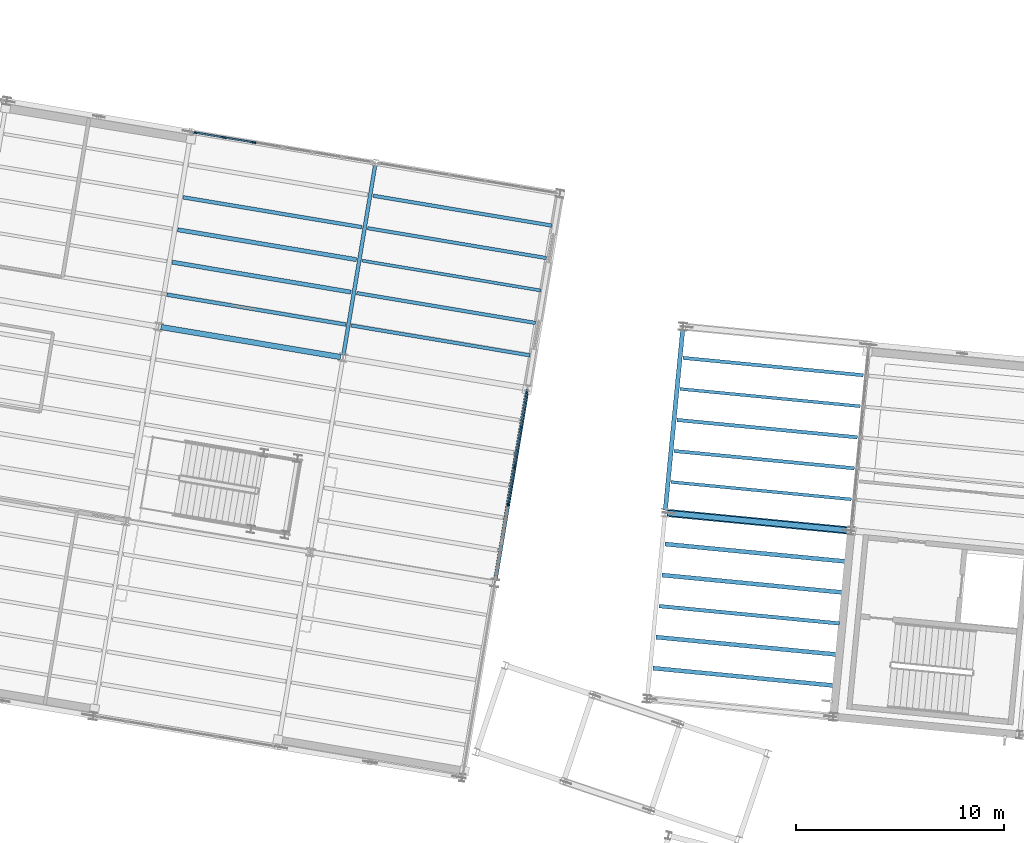
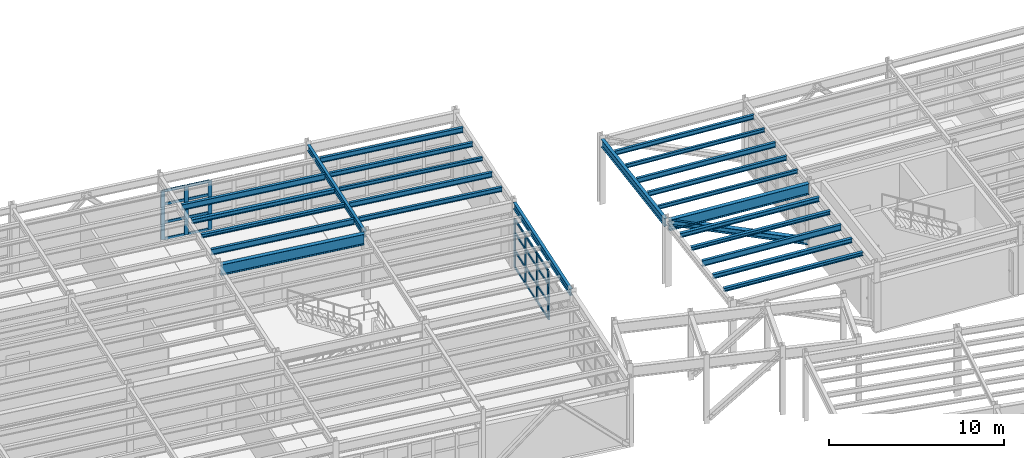
# One storey, part 45 of 109: 28 members, 24 beams, 2 elements without a shape of their own.
"""IFC4 building model written with IfcOpenShell, lengths in metres."""

from ifc_helpers import new_model, si_unit, direction, frame, origin, origin_2d, place, context, subcontext, project, spatial, rectangle, i_section, extrude, material, layer, layer_set, material_profile, profile_set, type_object, element, aggregate, save


model = new_model("IFC4")

# Units and contexts
model_context = context("Model", 3, precision=1e-05, world=origin(), true_north=direction((0.0, 1.0)))
body_context = subcontext(model_context, "Body", "Model", "MODEL_VIEW")
ifc_project = project(units=[si_unit("LENGTHUNIT", "METRE"), si_unit("AREAUNIT", "SQUARE_METRE"), si_unit("VOLUMEUNIT", "CUBIC_METRE"), si_unit("PLANEANGLEUNIT", "RADIAN"), si_unit("MASSUNIT", "GRAM", prefix="KILO")], contexts=[model_context])

# Site, building, storey
site_placement = place(None, origin())
site = spatial("IfcSite", under=ifc_project, at=site_placement, CompositionType="ELEMENT")
building_placement = place(site_placement, origin())
building = spatial("IfcBuilding", under=site, at=building_placement, Name="Vireo Bluff Cable Station", CompositionType="ELEMENT")
storey_placement = place(building_placement, frame((0.0, 0.0, 4.800048828125)))
storey = spatial("IfcBuildingStorey", under=building, at=storey_placement, Name="L01", CompositionType="ELEMENT", Elevation=4.800048828125)

# Beam
ifc_material_1 = material(Name="Steel ASTM A992 Gr. 50", Category="steel")
ifc_material_profile_1 = material_profile(ifc_material_1, i_section(OverallWidth=0.180908203125, OverallDepth=0.4169921875, WebThickness=0.010986328125, FlangeThickness=0.018310546875, FilletRadius=0.010009765625, at=origin_2d()), Name="W16X57")
ifc_profile_set_1 = profile_set([ifc_material_profile_1], Name="Steel ASTM A992 Gr. 50")
beam_type_1 = type_object("IfcBeamType", Name="BM-W16X57", PredefinedType="BEAM", material=ifc_profile_set_1)
beam_1_placement = place(storey_placement, frame((44.162109375, 84.416015625, 4.33154296875), z_axis=(0.165044536891, 0.986286115102, 0.0), x_axis=(-0.986286115102, 0.165044536891, 0.0)))
element("IfcBeam", 1, at=beam_1_placement, inside=storey, type_object=beam_type_1, Name="V4 L01 beam 906", PredefinedType="BEAM", context=body_context, shape_type="SweptSolid", body=[
    extrude(i_section(OverallWidth=0.180908203125, OverallDepth=0.4169921875, WebThickness=0.010986328125, FlangeThickness=0.018310546875, FilletRadius=0.010009765625, at=origin_2d()), origin(), (0.0, 0.0, 1.0), 9.260009765625),
])

# Curtain wall, members
ifc_material_2 = material(Name="Anodized Aluminium 6063-T6", Category="aluminium")
ifc_layer_1 = layer(ifc_material_2, 0.159912109375, Name="Anodized Aluminium 6063-T6")
ifc_layer_set_1 = layer_set([ifc_layer_1], Name="Anodized Aluminium 6063-T6")
curtain_wall_type_1 = type_object("IfcCurtainWallType", Name="CW-STICK-1850", PredefinedType="USERDEFINED", material=ifc_layer_set_1)
curtain_wall_1_placement = place(storey_placement, origin())
curtain_wall_1 = element("IfcCurtainWall", 2, at=curtain_wall_1_placement, inside=storey, type_object=curtain_wall_type_1, Name="V4 L01 east curtain wall CW-093", ObjectType="STICK CURTAIN WALL", PredefinedType="USERDEFINED")
ifc_material_profile_2 = material_profile(ifc_material_2, rectangle(XDim=0.074951171875, YDim=0.2099609375, at=origin_2d()), Name="ALU-M-75X210")
ifc_profile_set_2 = profile_set([ifc_material_profile_2], Name="Anodized Aluminium 6063-T6")
member_type_1 = type_object("IfcMemberType", Name="CWM-02", PredefinedType="MULLION", material=ifc_profile_set_2)
member_1_placement = place(storey_placement, frame((52.9912109375, 82.64697265625, 0.0), z_axis=(0.0, 0.0, 1.0), x_axis=(0.986285608353, -0.165047565133, 0.0)))
member_1 = element("IfcMember", 3, at=member_1_placement, type_object=member_type_1, Name="CW-093 mullion 1", PredefinedType="MULLION", context=body_context, shape_type="SweptSolid", body=[
    extrude(rectangle(XDim=0.074951171875, YDim=0.2099609375, at=origin_2d()), origin(), (0.0, 0.0, 1.0), 3.39990234375),
])
member_2_placement = place(storey_placement, frame((52.694091796875, 80.87158203125, 0.0), z_axis=(0.0, 0.0, 1.0), x_axis=(0.986285608353, -0.165047565133, 0.0)))
member_2 = element("IfcMember", 4, at=member_2_placement, type_object=member_type_1, Name="CW-093 mullion 2", PredefinedType="MULLION", context=body_context, shape_type="SweptSolid", body=[
    extrude(rectangle(XDim=0.074951171875, YDim=0.2099609375, at=origin_2d()), origin(), (0.0, 0.0, 1.0), 3.39990234375),
])
member_3_placement = place(storey_placement, frame((52.390625, 79.059326171875, 0.0), z_axis=(0.0, 0.0, 1.0), x_axis=(0.986285608353, -0.165047565133, 0.0)))
member_3 = element("IfcMember", 5, at=member_3_placement, type_object=member_type_1, Name="CW-093 mullion 3", PredefinedType="MULLION", context=body_context, shape_type="SweptSolid", body=[
    extrude(rectangle(XDim=0.074951171875, YDim=0.2099609375, at=origin_2d()), origin(), (0.0, 0.0, 1.0), 3.39990234375),
])
member_4_placement = place(storey_placement, frame((52.08740234375, 77.246826171875, 0.0), z_axis=(0.0, 0.0, 1.0), x_axis=(0.986285608353, -0.165047565133, 0.0)))
member_4 = element("IfcMember", 6, at=member_4_placement, type_object=member_type_1, Name="CW-093 mullion 4", PredefinedType="MULLION", context=body_context, shape_type="SweptSolid", body=[
    extrude(rectangle(XDim=0.074951171875, YDim=0.2099609375, at=origin_2d()), origin(), (0.0, 0.0, 1.0), 3.39990234375),
])

ifc_layer_2 = layer(ifc_material_2, 0.179931640625, Name="Anodized Aluminium 6063-T6")
ifc_layer_set_2 = layer_set([ifc_layer_2], Name="Anodized Aluminium 6063-T6")
curtain_wall_type_2 = type_object("IfcCurtainWallType", Name="CW-UNIT-1500", PredefinedType="USERDEFINED", material=ifc_layer_set_2)
curtain_wall_2_placement = place(storey_placement, origin())
curtain_wall_2 = element("IfcCurtainWall", 7, at=curtain_wall_2_placement, inside=storey, type_object=curtain_wall_type_2, Name="V4 L01 north curtain wall CW-091", ObjectType="UNITISED CURTAIN WALL", PredefinedType="USERDEFINED")
ifc_material_profile_3 = material_profile(ifc_material_2, rectangle(XDim=0.080078125, YDim=0.239990234375, at=origin_2d()), Name="ALU-M-80X240")
ifc_profile_set_3 = profile_set([ifc_material_profile_3], Name="Anodized Aluminium 6063-T6")
member_type_2 = type_object("IfcMemberType", Name="CWM-04", PredefinedType="MULLION", material=ifc_profile_set_3)
member_5_placement = place(storey_placement, frame((37.000244140625, 95.125, 0.0), z_axis=(0.0, 0.0, 1.0), x_axis=(0.165047581847, 0.986285605556, 0.0)))
member_5 = element("IfcMember", 8, at=member_5_placement, type_object=member_type_2, Name="CW-091 mullion 1", PredefinedType="MULLION", context=body_context, shape_type="SweptSolid", body=[
    extrude(rectangle(XDim=0.080078125, YDim=0.239990234375, at=origin_2d()), origin(), (0.0, 0.0, 1.0), 3.39990234375),
])
member_6_placement = place(storey_placement, frame((38.397705078125, 94.89111328125, 0.0), z_axis=(0.0, 0.0, 1.0), x_axis=(0.165047581847, 0.986285605556, 0.0)))
member_6 = element("IfcMember", 9, at=member_6_placement, type_object=member_type_2, Name="CW-091 mullion 2", PredefinedType="MULLION", context=body_context, shape_type="SweptSolid", body=[
    extrude(rectangle(XDim=0.080078125, YDim=0.239990234375, at=origin_2d()), origin(), (0.0, 0.0, 1.0), 3.39990234375),
])
member_7_placement = place(storey_placement, frame((39.834716796875, 94.650634765625, 0.0), z_axis=(0.0, 0.0, 1.0), x_axis=(0.165047581847, 0.986285605556, 0.0)))
member_7 = element("IfcMember", 10, at=member_7_placement, type_object=member_type_2, Name="CW-091 mullion 3", PredefinedType="MULLION", context=body_context, shape_type="SweptSolid", body=[
    extrude(rectangle(XDim=0.080078125, YDim=0.239990234375, at=origin_2d()), origin(), (0.0, 0.0, 1.0), 3.39990234375),
])

# Member
ifc_material_profile_4 = material_profile(ifc_material_2, rectangle(XDim=0.074951171875, YDim=0.159912109375, at=origin_2d()), Name="ALU-T-75X160")
ifc_profile_set_4 = profile_set([ifc_material_profile_4], Name="Anodized Aluminium 6063-T6")
member_type_3 = type_object("IfcMemberType", Name="CWT-02", PredefinedType="USERDEFINED", material=ifc_profile_set_4)
member_8_placement = place(storey_placement, frame((52.98486328125, 82.610107421875, 0.037353515625), z_axis=(-0.165018606581, -0.986290453914, 0.0), x_axis=(0.986290453914, -0.165018606581, 0.0)))
member_8 = element("IfcMember", 11, at=member_8_placement, type_object=member_type_3, Name="CW-093 transom 1.1", ObjectType="TRANSOM", PredefinedType="USERDEFINED", context=body_context, shape_type="SweptSolid", body=[
    extrude(rectangle(XDim=0.074951171875, YDim=0.159912109375, at=origin_2d()), origin(), (0.0, 0.0, 1.0), 1.72509765625),
])

member_9_placement = place(storey_placement, frame((52.98486328125, 82.610107421875, 1.18994140625), z_axis=(-0.165018606581, -0.986290453914, 0.0), x_axis=(0.986290453914, -0.165018606581, 0.0)))
member_9 = element("IfcMember", 12, at=member_9_placement, type_object=member_type_3, Name="CW-093 transom 1.2", ObjectType="TRANSOM", PredefinedType="USERDEFINED", context=body_context, shape_type="SweptSolid", body=[
    extrude(rectangle(XDim=0.074951171875, YDim=0.159912109375, at=origin_2d()), origin(), (0.0, 0.0, 1.0), 1.72509765625),
])

member_10_placement = place(storey_placement, frame((52.98486328125, 82.610107421875, 2.447998046875), z_axis=(-0.165018606581, -0.986290453914, 0.0), x_axis=(0.986290453914, -0.165018606581, 0.0)))
member_10 = element("IfcMember", 13, at=member_10_placement, type_object=member_type_3, Name="CW-093 transom 1.3", ObjectType="TRANSOM", PredefinedType="USERDEFINED", context=body_context, shape_type="SweptSolid", body=[
    extrude(rectangle(XDim=0.074951171875, YDim=0.159912109375, at=origin_2d()), origin(), (0.0, 0.0, 1.0), 1.72509765625),
])

member_11_placement = place(storey_placement, frame((52.98486328125, 82.610107421875, 3.362548828125), z_axis=(-0.165018606581, -0.986290453914, 0.0), x_axis=(0.986290453914, -0.165018606581, 0.0)))
member_11 = element("IfcMember", 14, at=member_11_placement, type_object=member_type_3, Name="CW-093 transom 1.4", ObjectType="TRANSOM", PredefinedType="USERDEFINED", context=body_context, shape_type="SweptSolid", body=[
    extrude(rectangle(XDim=0.074951171875, YDim=0.159912109375, at=origin_2d()), origin(), (0.0, 0.0, 1.0), 1.72509765625),
])

member_12_placement = place(storey_placement, frame((52.687744140625, 80.834716796875, 0.037353515625), z_axis=(-0.164960470883, -0.986300178975, 0.0), x_axis=(0.986300178975, -0.164960470883, 0.0)))
member_12 = element("IfcMember", 15, at=member_12_placement, type_object=member_type_3, Name="CW-093 transom 2.1", ObjectType="TRANSOM", PredefinedType="USERDEFINED", context=body_context, shape_type="SweptSolid", body=[
    extrude(rectangle(XDim=0.074951171875, YDim=0.159912109375, at=origin_2d()), origin(), (0.0, 0.0, 1.0), 1.7626953125),
])

member_13_placement = place(storey_placement, frame((52.687744140625, 80.834716796875, 1.18994140625), z_axis=(-0.164960470883, -0.986300178975, 0.0), x_axis=(0.986300178975, -0.164960470883, 0.0)))
member_13 = element("IfcMember", 16, at=member_13_placement, type_object=member_type_3, Name="CW-093 transom 2.2", ObjectType="TRANSOM", PredefinedType="USERDEFINED", context=body_context, shape_type="SweptSolid", body=[
    extrude(rectangle(XDim=0.074951171875, YDim=0.159912109375, at=origin_2d()), origin(), (0.0, 0.0, 1.0), 1.7626953125),
])

member_14_placement = place(storey_placement, frame((52.687744140625, 80.834716796875, 2.447998046875), z_axis=(-0.164960470883, -0.986300178975, 0.0), x_axis=(0.986300178975, -0.164960470883, 0.0)))
member_14 = element("IfcMember", 17, at=member_14_placement, type_object=member_type_3, Name="CW-093 transom 2.3", ObjectType="TRANSOM", PredefinedType="USERDEFINED", context=body_context, shape_type="SweptSolid", body=[
    extrude(rectangle(XDim=0.074951171875, YDim=0.159912109375, at=origin_2d()), origin(), (0.0, 0.0, 1.0), 1.7626953125),
])

member_15_placement = place(storey_placement, frame((52.687744140625, 80.834716796875, 3.362548828125), z_axis=(-0.164960470883, -0.986300178975, 0.0), x_axis=(0.986300178975, -0.164960470883, 0.0)))
member_15 = element("IfcMember", 18, at=member_15_placement, type_object=member_type_3, Name="CW-093 transom 2.4", ObjectType="TRANSOM", PredefinedType="USERDEFINED", context=body_context, shape_type="SweptSolid", body=[
    extrude(rectangle(XDim=0.074951171875, YDim=0.159912109375, at=origin_2d()), origin(), (0.0, 0.0, 1.0), 1.7626953125),
])

member_16_placement = place(storey_placement, frame((52.384521484375, 79.022216796875, 0.037353515625), z_axis=(-0.165117758492, -0.986273859448, 0.0), x_axis=(0.986273859448, -0.165117758492, 0.0)))
member_16 = element("IfcMember", 19, at=member_16_placement, type_object=member_type_3, Name="CW-093 transom 3.1", ObjectType="TRANSOM", PredefinedType="USERDEFINED", context=body_context, shape_type="SweptSolid", body=[
    extrude(rectangle(XDim=0.074951171875, YDim=0.159912109375, at=origin_2d()), origin(), (0.0, 0.0, 1.0), 1.762451171875),
])

member_17_placement = place(storey_placement, frame((52.384521484375, 79.022216796875, 1.18994140625), z_axis=(-0.165117758492, -0.986273859448, 0.0), x_axis=(0.986273859448, -0.165117758492, 0.0)))
member_17 = element("IfcMember", 20, at=member_17_placement, type_object=member_type_3, Name="CW-093 transom 3.2", ObjectType="TRANSOM", PredefinedType="USERDEFINED", context=body_context, shape_type="SweptSolid", body=[
    extrude(rectangle(XDim=0.074951171875, YDim=0.159912109375, at=origin_2d()), origin(), (0.0, 0.0, 1.0), 1.762451171875),
])

member_18_placement = place(storey_placement, frame((52.384521484375, 79.022216796875, 2.447998046875), z_axis=(-0.165117758492, -0.986273859448, 0.0), x_axis=(0.986273859448, -0.165117758492, 0.0)))
member_18 = element("IfcMember", 21, at=member_18_placement, type_object=member_type_3, Name="CW-093 transom 3.3", ObjectType="TRANSOM", PredefinedType="USERDEFINED", context=body_context, shape_type="SweptSolid", body=[
    extrude(rectangle(XDim=0.074951171875, YDim=0.159912109375, at=origin_2d()), origin(), (0.0, 0.0, 1.0), 1.762451171875),
])

member_19_placement = place(storey_placement, frame((52.384521484375, 79.022216796875, 3.362548828125), z_axis=(-0.165117758492, -0.986273859448, 0.0), x_axis=(0.986273859448, -0.165117758492, 0.0)))
member_19 = element("IfcMember", 22, at=member_19_placement, type_object=member_type_3, Name="CW-093 transom 3.4", ObjectType="TRANSOM", PredefinedType="USERDEFINED", context=body_context, shape_type="SweptSolid", body=[
    extrude(rectangle(XDim=0.074951171875, YDim=0.159912109375, at=origin_2d()), origin(), (0.0, 0.0, 1.0), 1.762451171875),
])

aggregate(curtain_wall_1, [member_1, member_2, member_3, member_4, member_8, member_9, member_10, member_11, member_12, member_13, member_14, member_15, member_16, member_17, member_18, member_19])

ifc_material_profile_5 = material_profile(ifc_material_2, rectangle(XDim=0.080078125, YDim=0.175048828125, at=origin_2d()), Name="ALU-T-80X175")
ifc_profile_set_5 = profile_set([ifc_material_profile_5], Name="Anodized Aluminium 6063-T6")
member_type_4 = type_object("IfcMemberType", Name="CWT-04", PredefinedType="USERDEFINED", material=ifc_profile_set_5)
member_20_placement = place(storey_placement, frame((37.039794921875, 95.118408203125, 0.0400390625), z_axis=(0.986280173958, -0.165080036522, 0.0), x_axis=(0.165080036522, 0.986280173958, 0.0)))
member_20 = element("IfcMember", 23, at=member_20_placement, type_object=member_type_4, Name="CW-091 transom 1.1", ObjectType="TRANSOM", PredefinedType="USERDEFINED", context=body_context, shape_type="SweptSolid", body=[
    extrude(rectangle(XDim=0.080078125, YDim=0.175048828125, at=origin_2d()), origin(), (0.0, 0.0, 1.0), 1.3369140625),
])

member_21_placement = place(storey_placement, frame((37.039794921875, 95.118408203125, 1.18994140625), z_axis=(0.986280173958, -0.165080036522, 0.0), x_axis=(0.165080036522, 0.986280173958, 0.0)))
member_21 = element("IfcMember", 24, at=member_21_placement, type_object=member_type_4, Name="CW-091 transom 1.2", ObjectType="TRANSOM", PredefinedType="USERDEFINED", context=body_context, shape_type="SweptSolid", body=[
    extrude(rectangle(XDim=0.080078125, YDim=0.175048828125, at=origin_2d()), origin(), (0.0, 0.0, 1.0), 1.3369140625),
])

member_22_placement = place(storey_placement, frame((37.039794921875, 95.118408203125, 2.447998046875), z_axis=(0.986280173958, -0.165080036522, 0.0), x_axis=(0.165080036522, 0.986280173958, 0.0)))
member_22 = element("IfcMember", 25, at=member_22_placement, type_object=member_type_4, Name="CW-091 transom 1.3", ObjectType="TRANSOM", PredefinedType="USERDEFINED", context=body_context, shape_type="SweptSolid", body=[
    extrude(rectangle(XDim=0.080078125, YDim=0.175048828125, at=origin_2d()), origin(), (0.0, 0.0, 1.0), 1.3369140625),
])

member_23_placement = place(storey_placement, frame((37.039794921875, 95.118408203125, 3.35986328125), z_axis=(0.986280173958, -0.165080036522, 0.0), x_axis=(0.165080036522, 0.986280173958, 0.0)))
member_23 = element("IfcMember", 26, at=member_23_placement, type_object=member_type_4, Name="CW-091 transom 1.4", ObjectType="TRANSOM", PredefinedType="USERDEFINED", context=body_context, shape_type="SweptSolid", body=[
    extrude(rectangle(XDim=0.080078125, YDim=0.175048828125, at=origin_2d()), origin(), (0.0, 0.0, 1.0), 1.3369140625),
])

member_24_placement = place(storey_placement, frame((38.437255859375, 94.884521484375, 0.0400390625), z_axis=(0.986283492741, -0.165060207036, 0.0), x_axis=(0.165060207036, 0.986283492741, 0.0)))
member_24 = element("IfcMember", 27, at=member_24_placement, type_object=member_type_4, Name="CW-091 transom 2.1", ObjectType="TRANSOM", PredefinedType="USERDEFINED", context=body_context, shape_type="SweptSolid", body=[
    extrude(rectangle(XDim=0.080078125, YDim=0.175048828125, at=origin_2d()), origin(), (0.0, 0.0, 1.0), 1.376953125),
])

member_25_placement = place(storey_placement, frame((38.437255859375, 94.884521484375, 1.18994140625), z_axis=(0.986283492741, -0.165060207036, 0.0), x_axis=(0.165060207036, 0.986283492741, 0.0)))
member_25 = element("IfcMember", 28, at=member_25_placement, type_object=member_type_4, Name="CW-091 transom 2.2", ObjectType="TRANSOM", PredefinedType="USERDEFINED", context=body_context, shape_type="SweptSolid", body=[
    extrude(rectangle(XDim=0.080078125, YDim=0.175048828125, at=origin_2d()), origin(), (0.0, 0.0, 1.0), 1.376953125),
])

member_26_placement = place(storey_placement, frame((38.437255859375, 94.884521484375, 2.447998046875), z_axis=(0.986283492741, -0.165060207036, 0.0), x_axis=(0.165060207036, 0.986283492741, 0.0)))
member_26 = element("IfcMember", 29, at=member_26_placement, type_object=member_type_4, Name="CW-091 transom 2.3", ObjectType="TRANSOM", PredefinedType="USERDEFINED", context=body_context, shape_type="SweptSolid", body=[
    extrude(rectangle(XDim=0.080078125, YDim=0.175048828125, at=origin_2d()), origin(), (0.0, 0.0, 1.0), 1.376953125),
])

member_27_placement = place(storey_placement, frame((38.437255859375, 94.884521484375, 3.35986328125), z_axis=(0.986283492741, -0.165060207036, 0.0), x_axis=(0.165060207036, 0.986283492741, 0.0)))
member_27 = element("IfcMember", 30, at=member_27_placement, type_object=member_type_4, Name="CW-091 transom 2.4", ObjectType="TRANSOM", PredefinedType="USERDEFINED", context=body_context, shape_type="SweptSolid", body=[
    extrude(rectangle(XDim=0.080078125, YDim=0.175048828125, at=origin_2d()), origin(), (0.0, 0.0, 1.0), 1.376953125),
])

aggregate(curtain_wall_2, [member_5, member_6, member_7, member_20, member_21, member_22, member_23, member_24, member_25, member_26, member_27])

# Beams
ifc_material_profile_6 = material_profile(ifc_material_1, i_section(OverallWidth=0.264892578125, OverallDepth=0.7529296875, WebThickness=0.01318359375, FlangeThickness=0.01708984375, FilletRadius=0.01611328125, at=origin_2d()), Name="W30X99")
ifc_profile_set_6 = profile_set([ifc_material_profile_6], Name="Steel ASTM A992 Gr. 50")
beam_type_2 = type_object("IfcBeamType", Name="GIR-W30X99", PredefinedType="USERDEFINED", material=ifc_profile_set_6)
for number, where, z_axis, x_axis, name in (
    (31, (59.761474609375, 76.8134765625, 4.163330078125), (0.995396356957, -0.095844105487, 0.0), (0.095844105487, 0.995396356957, 0.0), "V3 L01 girder 698"),
    (32, (35.384033203125, 85.763427734375, 4.163330078125), (0.986285998922, -0.165045231163, 0.0), (0.165045231163, 0.986285998922, 0.0), "V4 L01 girder 885"),
):
    element("IfcBeam", number, at=place(storey_placement, frame(where, z_axis=z_axis, x_axis=x_axis)), inside=storey, type_object=beam_type_2, Name=name, ObjectType="GIRDER", PredefinedType="USERDEFINED", context=body_context, shape_type="SweptSolid", body=[
        extrude(i_section(OverallWidth=0.264892578125, OverallDepth=0.7529296875, WebThickness=0.01318359375, FlangeThickness=0.01708984375, FilletRadius=0.01611328125, at=origin_2d()), origin(), (0.0, 0.0, 1.0), 8.760009765625),
    ])
ifc_material_profile_7 = material_profile(ifc_material_1, i_section(OverallWidth=0.14599609375, OverallDepth=0.259033203125, WebThickness=0.006103515625, FlangeThickness=0.009033203125, FilletRadius=0.009033203125, at=origin_2d()), Name="W10X22")
ifc_profile_set_7 = profile_set([ifc_material_profile_7], Name="Steel ASTM A992 Gr. 50")
beam_type_3 = type_object("IfcBeamType", Name="JST-W10X22", PredefinedType="JOIST", material=ifc_profile_set_7)
beam_2_placement = place(storey_placement, frame((59.92529296875, 78.3046875, 4.410400390625), z_axis=(0.995397172011, -0.095835640306, 0.0), x_axis=(0.095835640306, 0.995397172011, 0.0)))
element("IfcBeam", 33, at=beam_2_placement, inside=storey, type_object=beam_type_3, Name="V3 L01 composite joist 707", PredefinedType="JOIST", context=body_context, shape_type="SweptSolid", body=[
    extrude(i_section(OverallWidth=0.14599609375, OverallDepth=0.259033203125, WebThickness=0.006103515625, FlangeThickness=0.009033203125, FilletRadius=0.009033203125, at=origin_2d()), origin(), (0.0, 0.0, 1.0), 8.719970703125),
])
beam_3_placement = place(storey_placement, frame((60.356689453125, 82.783935546875, 4.410400390625), z_axis=(0.995396914857, -0.095838311194, 0.0), x_axis=(0.095838311194, 0.995396914857, 0.0)))
element("IfcBeam", 34, at=beam_3_placement, inside=storey, type_object=beam_type_3, Name="V3 L01 composite joist 710", PredefinedType="JOIST", context=body_context, shape_type="SweptSolid", body=[
    extrude(i_section(OverallWidth=0.14599609375, OverallDepth=0.259033203125, WebThickness=0.006103515625, FlangeThickness=0.009033203125, FilletRadius=0.009033203125, at=origin_2d()), origin(), (0.0, 0.0, 1.0), 8.7197265625),
])
beam_4_placement = place(storey_placement, frame((45.064208984375, 88.95947265625, 4.410400390625), z_axis=(0.98628550168, -0.165048202583, 0.0), x_axis=(0.165048202583, 0.98628550168, 0.0)))
element("IfcBeam", 35, at=beam_4_placement, inside=storey, type_object=beam_type_3, Name="V4 L01 composite joist 975", PredefinedType="JOIST", context=body_context, shape_type="SweptSolid", body=[
    extrude(i_section(OverallWidth=0.14599609375, OverallDepth=0.259033203125, WebThickness=0.006103515625, FlangeThickness=0.009033203125, FilletRadius=0.009033203125, at=origin_2d()), origin(), (0.0, 0.0, 1.0), 8.719970703125),
])
ifc_material_profile_8 = material_profile(ifc_material_1, i_section(OverallWidth=0.201904296875, OverallDepth=0.2470703125, WebThickness=0.00732421875, FlangeThickness=0.010986328125, FilletRadius=0.009033203125, at=origin_2d()), Name="W10X33")
ifc_profile_set_8 = profile_set([ifc_material_profile_8], Name="Steel ASTM A992 Gr. 50")
beam_type_4 = type_object("IfcBeamType", Name="JST-W10X33", PredefinedType="JOIST", material=ifc_profile_set_8)
beam_5_placement = place(storey_placement, frame((59.062744140625, 69.34619140625, 4.41650390625), z_axis=(0.995396914857, -0.095838311194, 0.0), x_axis=(0.095838311194, 0.995396914857, 0.0)))
element("IfcBeam", 36, at=beam_5_placement, inside=storey, type_object=beam_type_4, Name="V3 L01 composite joist 702", PredefinedType="JOIST", context=body_context, shape_type="SweptSolid", body=[
    extrude(i_section(OverallWidth=0.201904296875, OverallDepth=0.2470703125, WebThickness=0.00732421875, FlangeThickness=0.010986328125, FilletRadius=0.009033203125, at=origin_2d()), origin(), (0.0, 0.0, 1.0), 8.7197265625),
])
beam_6_placement = place(storey_placement, frame((59.493896484375, 73.825439453125, 4.41650390625), z_axis=(0.995397172011, -0.095835640306, 0.0), x_axis=(0.095835640306, 0.995397172011, 0.0)))
element("IfcBeam", 37, at=beam_6_placement, inside=storey, type_object=beam_type_4, Name="V3 L01 composite joist 705", PredefinedType="JOIST", context=body_context, shape_type="SweptSolid", body=[
    extrude(i_section(OverallWidth=0.201904296875, OverallDepth=0.2470703125, WebThickness=0.00732421875, FlangeThickness=0.010986328125, FilletRadius=0.009033203125, at=origin_2d()), origin(), (0.0, 0.0, 1.0), 8.719970703125),
])
beam_7_placement = place(storey_placement, frame((35.92626953125, 88.88330078125, 4.41650390625), z_axis=(0.986286264339, -0.165043645063, 0.0), x_axis=(0.165043645063, 0.986286264339, 0.0)))
element("IfcBeam", 38, at=beam_7_placement, inside=storey, type_object=beam_type_4, Name="V4 L01 composite joist 959", PredefinedType="JOIST", context=body_context, shape_type="SweptSolid", body=[
    extrude(i_section(OverallWidth=0.201904296875, OverallDepth=0.2470703125, WebThickness=0.00732421875, FlangeThickness=0.010986328125, FilletRadius=0.009033203125, at=origin_2d()), origin(), (0.0, 0.0, 1.0), 8.72021484375),
])
ifc_material_profile_9 = material_profile(ifc_material_1, i_section(OverallWidth=0.1650390625, OverallDepth=0.31005859375, WebThickness=0.005859375, FlangeThickness=0.009765625, FilletRadius=0.010009765625, at=origin_2d()), Name="W12X26")
ifc_profile_set_9 = profile_set([ifc_material_profile_9], Name="Steel ASTM A992 Gr. 50")
beam_type_5 = type_object("IfcBeamType", Name="JST-W12X26", PredefinedType="JOIST", material=ifc_profile_set_9)
beam_8_placement = place(storey_placement, frame((60.069091796875, 79.7978515625, 4.385009765625), z_axis=(0.995396914857, -0.095838311194, 0.0), x_axis=(0.095838311194, 0.995396914857, 0.0)))
element("IfcBeam", 39, at=beam_8_placement, inside=storey, type_object=beam_type_5, Name="V3 L01 composite joist 708", PredefinedType="JOIST", context=body_context, shape_type="SweptSolid", body=[
    extrude(i_section(OverallWidth=0.1650390625, OverallDepth=0.31005859375, WebThickness=0.005859375, FlangeThickness=0.009765625, FilletRadius=0.010009765625, at=origin_2d()), origin(), (0.0, 0.0, 1.0), 8.7197265625),
])
beam_9_placement = place(storey_placement, frame((60.500244140625, 84.277099609375, 4.385009765625), z_axis=(0.995397172011, -0.095835640306, 0.0), x_axis=(0.095835640306, 0.995397172011, 0.0)))
element("IfcBeam", 40, at=beam_9_placement, inside=storey, type_object=beam_type_5, Name="V3 L01 composite joist 711", PredefinedType="JOIST", context=body_context, shape_type="SweptSolid", body=[
    extrude(i_section(OverallWidth=0.1650390625, OverallDepth=0.31005859375, WebThickness=0.005859375, FlangeThickness=0.009765625, FilletRadius=0.010009765625, at=origin_2d()), origin(), (0.0, 0.0, 1.0), 8.719970703125),
])
beam_10_placement = place(storey_placement, frame((44.54150390625, 85.836181640625, 4.385009765625), z_axis=(0.986286264339, -0.165043645063, 0.0), x_axis=(0.165043645063, 0.986286264339, 0.0)))
element("IfcBeam", 41, at=beam_10_placement, inside=storey, type_object=beam_type_5, Name="V4 L01 composite joist 973", PredefinedType="JOIST", context=body_context, shape_type="SweptSolid", body=[
    extrude(i_section(OverallWidth=0.1650390625, OverallDepth=0.31005859375, WebThickness=0.005859375, FlangeThickness=0.009765625, FilletRadius=0.010009765625, at=origin_2d()), origin(), (0.0, 0.0, 1.0), 8.72021484375),
])
beam_11_placement = place(storey_placement, frame((45.32568359375, 90.52099609375, 4.385009765625), z_axis=(0.98628550168, -0.165048202583, 0.0), x_axis=(0.165048202583, 0.98628550168, 0.0)))
element("IfcBeam", 42, at=beam_11_placement, inside=storey, type_object=beam_type_5, Name="V4 L01 composite joist 976", PredefinedType="JOIST", context=body_context, shape_type="SweptSolid", body=[
    extrude(i_section(OverallWidth=0.1650390625, OverallDepth=0.31005859375, WebThickness=0.005859375, FlangeThickness=0.009765625, FilletRadius=0.010009765625, at=origin_2d()), origin(), (0.0, 0.0, 1.0), 8.719970703125),
])
ifc_material_profile_10 = material_profile(ifc_material_1, i_section(OverallWidth=0.202880859375, OverallDepth=0.302978515625, WebThickness=0.007568359375, FlangeThickness=0.01318359375, FilletRadius=0.010009765625, at=origin_2d()), Name="W12X40")
ifc_profile_set_10 = profile_set([ifc_material_profile_10], Name="Steel ASTM A992 Gr. 50")
beam_type_6 = type_object("IfcBeamType", Name="JST-W12X40", PredefinedType="JOIST", material=ifc_profile_set_10)
for number, where, z_axis, x_axis, name in (
    (43, (59.206298828125, 70.83935546875, 4.388427734375), (0.995394500818, -0.095863380609, 0.0), (0.095863380609, 0.995394500818, 0.0), "V3 L01 composite joist 703"),
    (44, (59.6376953125, 75.318603515625, 4.388427734375), (0.995394500818, -0.095863380609, 0.0), (0.095863380609, 0.995394500818, 0.0), "V3 L01 composite joist 706"),
    (45, (36.187744140625, 90.44482421875, 4.388427734375), (0.98628550168, -0.165048202583, 0.0), (0.165048202583, 0.98628550168, 0.0), "V4 L01 composite joist 960"),
):
    element("IfcBeam", number, at=place(storey_placement, frame(where, z_axis=z_axis, x_axis=x_axis)), inside=storey, type_object=beam_type_6, Name=name, PredefinedType="JOIST", context=body_context, shape_type="SweptSolid", body=[
        extrude(i_section(OverallWidth=0.202880859375, OverallDepth=0.302978515625, WebThickness=0.007568359375, FlangeThickness=0.01318359375, FilletRadius=0.010009765625, at=origin_2d()), origin(), (0.0, 0.0, 1.0), 8.719970703125),
    ])
ifc_material_profile_11 = material_profile(ifc_material_1, i_section(OverallWidth=0.1708984375, OverallDepth=0.35107421875, WebThickness=0.0068359375, FlangeThickness=0.009765625, FilletRadius=0.010009765625, at=origin_2d()), Name="W14X30")
ifc_profile_set_11 = profile_set([ifc_material_profile_11], Name="Steel ASTM A992 Gr. 50")
beam_type_7 = type_object("IfcBeamType", Name="JST-W14X30", PredefinedType="JOIST", material=ifc_profile_set_11)
for number, where, z_axis, x_axis, name in (
    (46, (60.212890625, 81.291015625, 4.364501953125), (0.995394243516, -0.095866052256, 0.0), (0.095866052256, 0.995394243516, 0.0), "V3 L01 composite joist 709"),
    (47, (44.802978515625, 87.39794921875, 4.364501953125), (0.98628550168, -0.165048202583, 0.0), (0.165048202583, 0.98628550168, 0.0), "V4 L01 composite joist 974"),
    (48, (45.5869140625, 92.082763671875, 4.364501953125), (0.98628550168, -0.165048202583, 0.0), (0.165048202583, 0.98628550168, 0.0), "V4 L01 composite joist 977"),
):
    element("IfcBeam", number, at=place(storey_placement, frame(where, z_axis=z_axis, x_axis=x_axis)), inside=storey, type_object=beam_type_7, Name=name, PredefinedType="JOIST", context=body_context, shape_type="SweptSolid", body=[
        extrude(i_section(OverallWidth=0.1708984375, OverallDepth=0.35107421875, WebThickness=0.0068359375, FlangeThickness=0.009765625, FilletRadius=0.010009765625, at=origin_2d()), origin(), (0.0, 0.0, 1.0), 8.719970703125),
    ])
ifc_material_profile_12 = material_profile(ifc_material_1, i_section(OverallWidth=0.177978515625, OverallDepth=0.404052734375, WebThickness=0.007568359375, FlangeThickness=0.010986328125, FilletRadius=0.010009765625, at=origin_2d()), Name="W16X36")
ifc_profile_set_12 = profile_set([ifc_material_profile_12], Name="Steel ASTM A992 Gr. 50")
beam_type_8 = type_object("IfcBeamType", Name="JST-W16X36", PredefinedType="JOIST", material=ifc_profile_set_12)
for number, where, z_axis, x_axis, name in (
    (49, (59.35009765625, 72.332275390625, 4.337890625), (0.995397172011, -0.095835640306, 0.0), (0.095835640306, 0.995397172011, 0.0), "V3 L01 composite joist 704"),
    (50, (35.6650390625, 87.321533203125, 4.337890625), (0.98628550168, -0.165048202583, 0.0), (0.165048202583, 0.98628550168, 0.0), "V4 L01 composite joist 958"),
    (51, (36.448974609375, 92.006591796875, 4.337890625), (0.98628550168, -0.165048202583, 0.0), (0.165048202583, 0.98628550168, 0.0), "V4 L01 composite joist 961"),
):
    element("IfcBeam", number, at=place(storey_placement, frame(where, z_axis=z_axis, x_axis=x_axis)), inside=storey, type_object=beam_type_8, Name=name, PredefinedType="JOIST", context=body_context, shape_type="SweptSolid", body=[
        extrude(i_section(OverallWidth=0.177978515625, OverallDepth=0.404052734375, WebThickness=0.007568359375, FlangeThickness=0.010986328125, FilletRadius=0.010009765625, at=origin_2d()), origin(), (0.0, 0.0, 1.0), 8.719970703125),
    ])
ifc_material_profile_13 = material_profile(ifc_material_1, i_section(OverallWidth=0.19091796875, OverallDepth=0.45703125, WebThickness=0.009033203125, FlangeThickness=0.014404296875, FilletRadius=0.011962890625, at=origin_2d()), Name="W18X50")
ifc_profile_set_13 = profile_set([ifc_material_profile_13], Name="Steel ASTM A992 Gr. 50")
beam_type_9 = type_object("IfcBeamType", Name="SPN-W18X50", PredefinedType="SPANDREL", material=ifc_profile_set_13)
beam_12_placement = place(storey_placement, frame((51.470703125, 73.56103515625, 4.3115234375), z_axis=(0.165048828716, 0.986285396901, 0.0), x_axis=(-0.986285396901, 0.165048828716, 0.0)))
element("IfcBeam", 52, at=beam_12_placement, inside=storey, type_object=beam_type_9, Name="V4 L01 spandrel 908", PredefinedType="SPANDREL", context=body_context, shape_type="SweptSolid", body=[
    extrude(i_section(OverallWidth=0.19091796875, OverallDepth=0.45703125, WebThickness=0.009033203125, FlangeThickness=0.014404296875, FilletRadius=0.011962890625, at=origin_2d()), origin(), (0.0, 0.0, 1.0), 9.259765625),
])
ifc_material_profile_14 = material_profile(ifc_material_1, i_section(OverallWidth=0.2099609375, OverallDepth=0.535888671875, WebThickness=0.010986328125, FlangeThickness=0.017333984375, FilletRadius=0.012939453125, at=origin_2d()), Name="W21X68")
ifc_profile_set_14 = profile_set([ifc_material_profile_14], Name="Steel ASTM A992 Gr. 50")
beam_type_10 = type_object("IfcBeamType", Name="SPN-W21X68", PredefinedType="SPANDREL", material=ifc_profile_set_14)
beam_13_placement = place(storey_placement, frame((59.653564453125, 76.944580078125, 4.27197265625), z_axis=(0.095846764416, 0.995396100932, 0.0), x_axis=(-0.995396100932, 0.095846764416, 0.0)))
element("IfcBeam", 53, at=beam_13_placement, inside=storey, type_object=beam_type_10, Name="V3 L01 spandrel 701", PredefinedType="SPANDREL", context=body_context, shape_type="SweptSolid", body=[
    extrude(i_section(OverallWidth=0.2099609375, OverallDepth=0.535888671875, WebThickness=0.010986328125, FlangeThickness=0.017333984375, FilletRadius=0.012939453125, at=origin_2d()), origin(), (0.0, 0.0, 1.0), 8.759765625),
])

# Member
ifc_material_profile_15 = material_profile(ifc_material_1, i_section(OverallWidth=0.373046875, OverallDepth=0.367919921875, WebThickness=0.014892578125, FlangeThickness=0.02392578125, FilletRadius=0.014892578125, at=origin_2d()), Name="W14X120")
ifc_profile_set_15 = profile_set([ifc_material_profile_15], Name="Steel ASTM A992 Gr. 50")
member_type_5 = type_object("IfcMemberType", Name="STR-04", PredefinedType="STRUT", material=ifc_profile_set_15)
member_28_placement = place(storey_placement, frame((68.451416015625, 75.976806640625, 0.5), z_axis=(-0.909740161429, 0.087605180048, 0.405830224492), x_axis=(-0.095853520973, -0.99539545032, 0.0)))
element("IfcMember", 54, at=member_28_placement, inside=storey, type_object=member_type_5, Name="V3 viewing terrace raking strut 2", PredefinedType="STRUT", context=body_context, shape_type="SweptSolid", body=[
    extrude(i_section(OverallWidth=0.373046875, OverallDepth=0.367919921875, WebThickness=0.014892578125, FlangeThickness=0.02392578125, FilletRadius=0.014892578125, at=origin_2d()), origin(), (0.0, 0.0, 1.0), 9.486328125),
])

save(model, "model.ifc")
